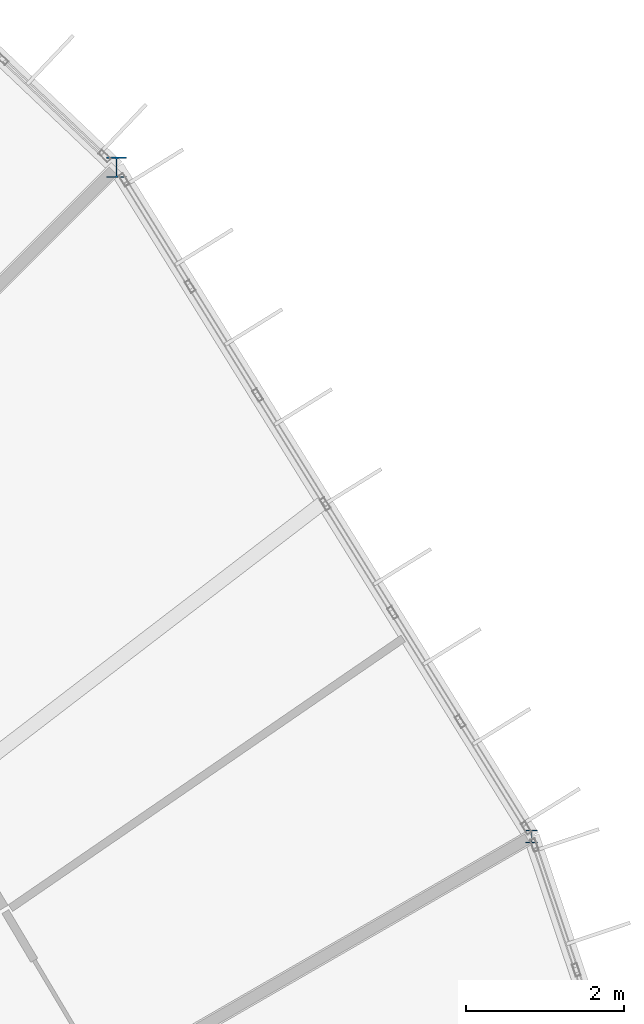
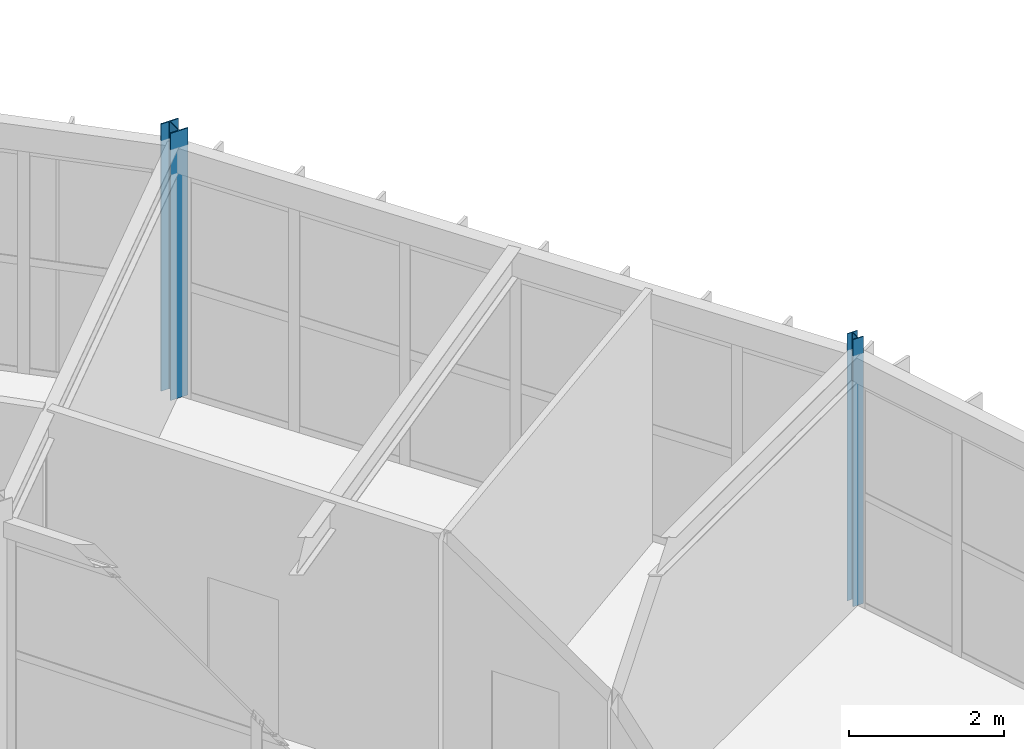
# One storey, part 5 of 66: 2 columns.
"""IFC4 building model written with IfcOpenShell, lengths in metres."""

from ifc_helpers import new_model, si_unit, direction, frame, origin, origin_2d, place, context, subcontext, project, spatial, i_section, extrude, material, material_profile, profile_set, type_object, element, save


model = new_model("IFC4")

# Units and contexts
model_context = context("Model", 3, precision=1e-05, world=origin(), true_north=direction((0.0, 1.0)))
body_context = subcontext(model_context, "Body", "Model", "MODEL_VIEW")
ifc_project = project(units=[si_unit("LENGTHUNIT", "METRE"), si_unit("AREAUNIT", "SQUARE_METRE"), si_unit("VOLUMEUNIT", "CUBIC_METRE"), si_unit("PLANEANGLEUNIT", "RADIAN"), si_unit("MASSUNIT", "GRAM", prefix="KILO")], contexts=[model_context])

# Site, building, storey
site_placement = place(None, origin())
site = spatial("IfcSite", under=ifc_project, at=site_placement, CompositionType="ELEMENT")
building_placement = place(site_placement, origin())
building = spatial("IfcBuilding", under=site, at=building_placement, Name="Karori Crest Natural Sciences Institute", CompositionType="ELEMENT")
storey_placement = place(building_placement, frame((0.0, 0.0, 30.10009765625)))
storey = spatial("IfcBuildingStorey", under=building, at=storey_placement, Name="L07", CompositionType="ELEMENT", Elevation=30.10009765625)

# Columns
ifc_material = material(Name="Structural steel AS/NZS 3679.1 Grade 350", Category="steel")
ifc_material_profile_1 = material_profile(ifc_material, i_section(OverallWidth=0.256103515625, OverallDepth=0.260009765625, WebThickness=0.010498046875, FlangeThickness=0.017333984375, FilletRadius=0.013916015625, at=origin_2d()), Name="250UC89.5")
ifc_profile_set_1 = profile_set([ifc_material_profile_1], Name="Structural steel AS/NZS 3679.1 Grade 350")
column_type_1 = type_object("IfcColumnType", Name="CT-06", PredefinedType="COLUMN", material=ifc_profile_set_1)
column_1_placement = place(storey_placement, frame((89.734619140625, 78.75, 0.0), z_axis=(0.0, 0.0, 1.0), x_axis=(1.0, 0.0, 0.0)))
element("IfcColumn", 1, at=column_1_placement, inside=storey, type_object=column_type_1, Name="Column C-0071", PredefinedType="COLUMN", context=body_context, shape_type="SweptSolid", body=[
    extrude(i_section(OverallWidth=0.256103515625, OverallDepth=0.260009765625, WebThickness=0.010498046875, FlangeThickness=0.017333984375, FilletRadius=0.013916015625, at=origin_2d()), origin(), (0.0, 0.0, 1.0), 4.199951171875),
])
ifc_material_profile_2 = material_profile(ifc_material, i_section(OverallWidth=0.154052734375, OverallDepth=0.162109375, WebThickness=0.008056640625, FlangeThickness=0.011474609375, FilletRadius=0.009033203125, at=origin_2d()), Name="150UC37.2")
ifc_profile_set_2 = profile_set([ifc_material_profile_2], Name="Structural steel AS/NZS 3679.1 Grade 350")
column_type_2 = type_object("IfcColumnType", Name="CT-26", PredefinedType="COLUMN", material=ifc_profile_set_2)
column_2_placement = place(storey_placement, frame((94.978759765625, 70.300048828125, 0.0), z_axis=(0.0, 0.0, 1.0), x_axis=(1.0, 0.0, 0.0)))
element("IfcColumn", 2, at=column_2_placement, inside=storey, type_object=column_type_2, Name="Column C-0053", PredefinedType="COLUMN", context=body_context, shape_type="SweptSolid", body=[
    extrude(i_section(OverallWidth=0.154052734375, OverallDepth=0.162109375, WebThickness=0.008056640625, FlangeThickness=0.011474609375, FilletRadius=0.009033203125, at=origin_2d()), origin(), (0.0, 0.0, 1.0), 4.199951171875),
])

save(model, "model.ifc")
